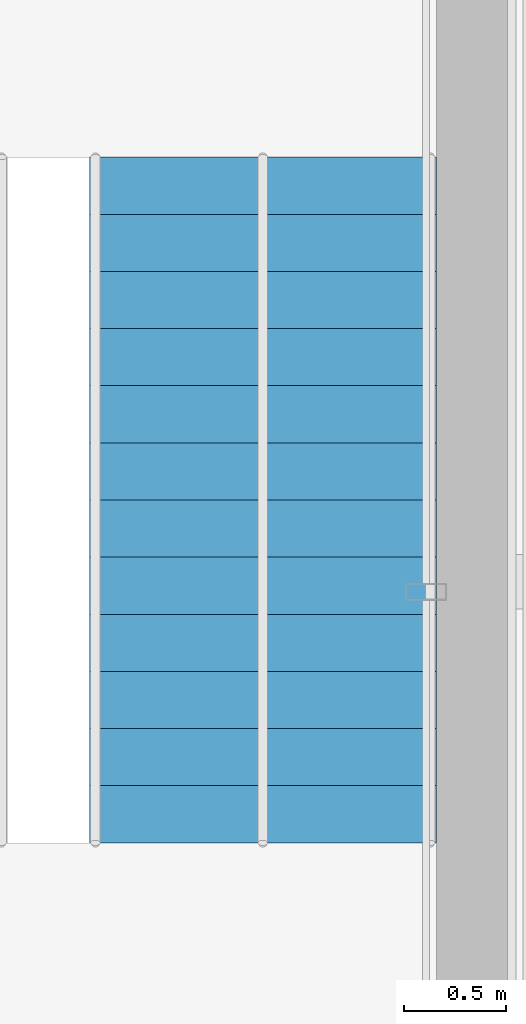
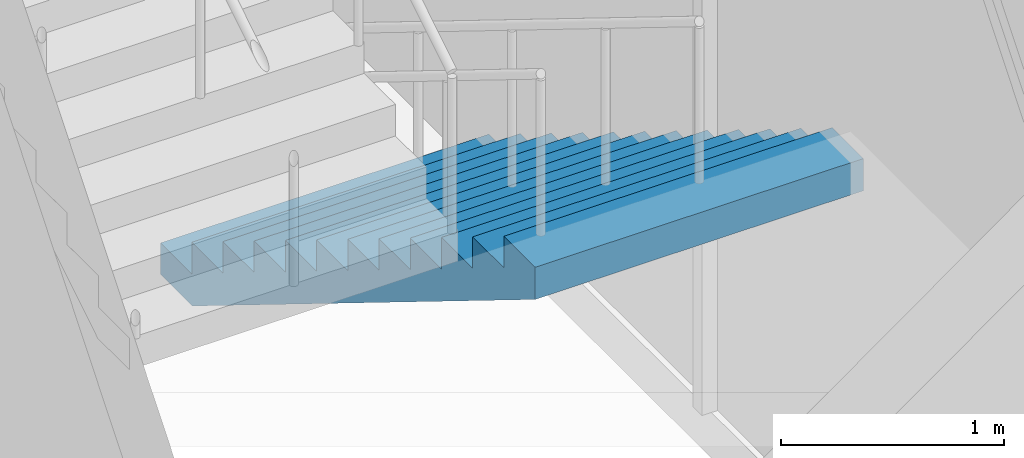
# One storey, part 10 of 11: 1 stair flight, 1 element without a shape of its own.
"""IFC4 building model written with IfcOpenShell, lengths in metres."""

from ifc_helpers import new_model, si_unit, direction, frame, origin, place, context, subcontext, project, spatial, polyline, outline, extrude, material, type_object, element, aggregate, save


model = new_model("IFC4")

# Units and contexts
model_context = context("Model", 3, precision=1e-05, world=origin(), true_north=direction((0.0, 1.0)))
body_context = subcontext(model_context, "Body", "Model", "MODEL_VIEW")
ifc_project = project(units=[si_unit("LENGTHUNIT", "METRE"), si_unit("AREAUNIT", "SQUARE_METRE"), si_unit("VOLUMEUNIT", "CUBIC_METRE"), si_unit("PLANEANGLEUNIT", "RADIAN"), si_unit("MASSUNIT", "GRAM", prefix="KILO")], contexts=[model_context])

# Site, building, storey
site_placement = place(None, origin())
site = spatial("IfcSite", under=ifc_project, at=site_placement, CompositionType="ELEMENT")
building_placement = place(site_placement, origin())
building = spatial("IfcBuilding", under=site, at=building_placement, Name="Altepetl Exchange Towers", CompositionType="ELEMENT")
storey_placement = place(building_placement, frame((0.0, 0.0, 274.60009765625)))
storey = spatial("IfcBuildingStorey", under=building, at=storey_placement, Name="L69 Crown plant", CompositionType="ELEMENT", Elevation=274.60009765625)

# Stair, stair flight
ifc_material = material(Name="Concrete C40/50", Category="concrete")
stair_type = type_object("IfcStairType", Name="Exit stair 1700 flights dogleg", PredefinedType="HALF_TURN_STAIR", material=ifc_material)
stair_placement = place(storey_placement, origin())
stair = element("IfcStair", 1, at=stair_placement, inside=storey, type_object=stair_type, Name="Exit stair 2", PredefinedType="HALF_TURN_STAIR")
stair_flight_type = type_object("IfcStairFlightType", Name="Stair flight 1700 wide", PredefinedType="STRAIGHT", material=ifc_material)
stair_flight_placement = place(storey_placement, frame((57.300048828125, 51.580078125, 0.0), z_axis=(0.0, 0.0, 1.0), x_axis=(0.0, -1.0, 0.0)))
stair_flight = element("IfcStairFlight", 2, at=stair_flight_placement, type_object=stair_flight_type, Name="ST-A2i flight 1", NumberOfRisers=13, NumberOfTreads=12, PredefinedType="STRAIGHT", RiserHeight=0.173076923, TreadLength=0.28, context=body_context, shape_type="SweptSolid", body=[
    extrude(outline(polyline([(0.0, 0.0), (0.0, 0.173095703125), (0.280029296875, 0.173095703125), (0.280029296875, 0.34619140625), (0.56005859375, 0.34619140625), (0.56005859375, 0.519287109375), (0.840087890625, 0.519287109375), (0.840087890625, 0.6923828125), (1.1201171875, 0.6923828125), (1.1201171875, 0.865478515625), (1.39990234375, 0.865478515625), (1.39990234375, 1.03857421875), (1.679931640625, 1.03857421875), (1.679931640625, 1.21142578125), (1.9599609375, 1.21142578125), (1.9599609375, 1.384521484375), (2.239990234375, 1.384521484375), (2.239990234375, 1.5576171875), (2.52001953125, 1.5576171875), (2.52001953125, 1.730712890625), (2.800048828125, 1.730712890625), (2.800048828125, 1.90380859375), (3.080078125, 1.90380859375), (3.080078125, 2.076904296875), (3.360107421875, 2.076904296875), (3.360107421875, 2.25), (3.360107421875, 1.900634765625), (0.28515625, 0.0), (0.0, 0.0)])), frame((0.0, 0.85009765625, 0.0), z_axis=(0.0, -1.0, 0.0), x_axis=(1.0, 0.0, 0.0)), (0.0, 0.0, 1.0), 1.699951171875),
])
aggregate(stair, [stair_flight])

save(model, "model.ifc")
